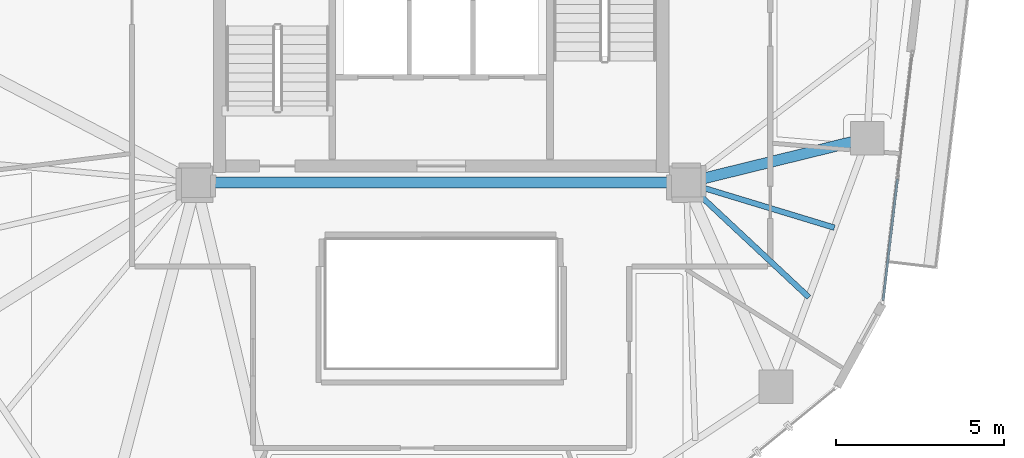
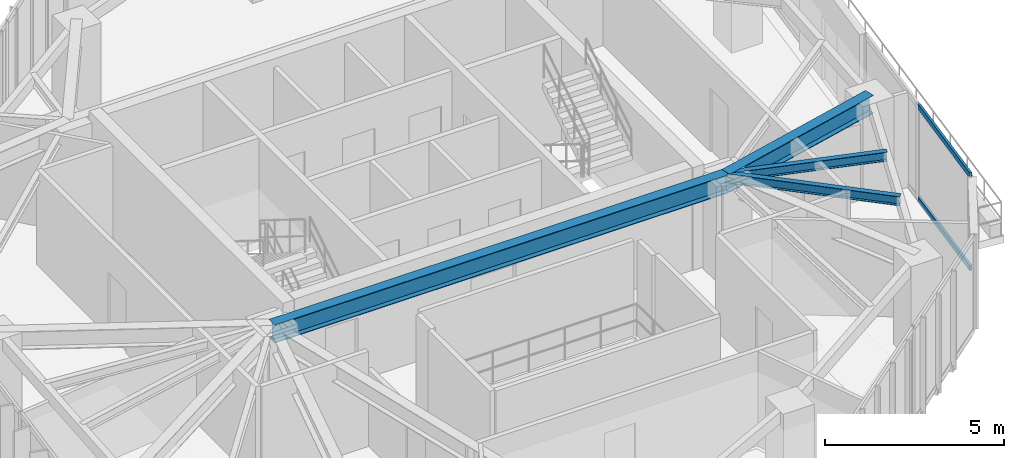
# One storey, part 10 of 22: 4 beams, 2 members, 1 element without a shape of its own.
"""IFC4 building model written with IfcOpenShell, lengths in metres."""

from ifc_helpers import new_model, si_unit, direction, frame, origin, origin_2d, place, context, subcontext, project, spatial, hollow_rectangle, i_section, extrude, source, transform, mapped, material, layer, layer_set, material_profile, profile_set, type_object, type_shapes, element, aggregate, save


model = new_model("IFC4")

# Units and contexts
model_context = context("Model", 3, precision=1e-05, world=origin(), true_north=direction((0.0, 1.0)))
body_context = subcontext(model_context, "Body", "Model", "MODEL_VIEW")
ifc_project = project(units=[si_unit("LENGTHUNIT", "METRE"), si_unit("AREAUNIT", "SQUARE_METRE"), si_unit("VOLUMEUNIT", "CUBIC_METRE"), si_unit("PLANEANGLEUNIT", "RADIAN"), si_unit("MASSUNIT", "GRAM", prefix="KILO")], contexts=[model_context])

# Site, building, storey
site_placement = place(None, origin())
site = spatial("IfcSite", under=ifc_project, at=site_placement, CompositionType="ELEMENT")
building_placement = place(site_placement, origin())
building = spatial("IfcBuilding", under=site, at=building_placement, Name="Talar Marvaseh", CompositionType="ELEMENT")
storey_placement = place(building_placement, frame((0.0, 0.0, 208.199951171875)))
storey = spatial("IfcBuildingStorey", under=building, at=storey_placement, Name="L54", CompositionType="ELEMENT", Elevation=208.199951171875)

# Beams
ifc_material_1 = material(Name="Steel S355", Category="steel")
ifc_material_profile_1 = material_profile(ifc_material_1, i_section(OverallWidth=0.324951171875, OverallDepth=0.615966796875, WebThickness=0.013916015625, FlangeThickness=0.021484375, at=origin_2d()), Name="W610x174")
ifc_profile_set_1 = profile_set([ifc_material_profile_1], Name="Steel S355")
beam_type_1 = type_object("IfcBeamType", Name="Zone 3 Radial Floor Girder W610x174", PredefinedType="BEAM", material=ifc_profile_set_1)
beam_1_placement = place(storey_placement, frame((18.699951171875, 25.5, 2.922119140625), z_axis=(1.0, 0.0, 0.0), x_axis=(0.0, 1.0, 0.0)))
element("IfcBeam", 1, at=beam_1_placement, inside=storey, type_object=beam_type_1, Name="L54 Zone 3 Radial Floor Girder W610x174", PredefinedType="BEAM", context=body_context, shape_type="SweptSolid", body=[
    extrude(i_section(OverallWidth=0.324951171875, OverallDepth=0.615966796875, WebThickness=0.013916015625, FlangeThickness=0.021484375, at=origin_2d()), origin(), (0.0, 0.0, 1.0), 14.60009765625),
])
beam_2_placement = place(storey_placement, frame((38.68896484375, 26.823974609375, 2.922119140625), z_axis=(-0.971120507527, -0.238589521692, 0.0), x_axis=(0.238589521692, -0.971120507527, 0.0)))
element("IfcBeam", 2, at=beam_2_placement, inside=storey, type_object=beam_type_1, Name="L54 Zone 3 Radial Floor Girder W610x174", PredefinedType="BEAM", context=body_context, shape_type="SweptSolid", body=[
    extrude(i_section(OverallWidth=0.324951171875, OverallDepth=0.615966796875, WebThickness=0.013916015625, FlangeThickness=0.021484375, at=origin_2d()), origin(), (0.0, 0.0, 1.0), 5.549072265625),
])
ifc_material_profile_2 = material_profile(ifc_material_1, i_section(OverallWidth=0.166015625, OverallDepth=0.31298828125, WebThickness=0.006591796875, FlangeThickness=0.01123046875, at=origin_2d()), Name="W310x45")
ifc_profile_set_2 = profile_set([ifc_material_profile_2], Name="Steel S355")
beam_type_2 = type_object("IfcBeamType", Name="Zone 3 Secondary Floor Joist W310x45", PredefinedType="JOIST", material=ifc_profile_set_2)
beam_3_placement = place(storey_placement, frame((37.71044921875, 24.15966796875, 3.073486328125), z_axis=(-0.956792465721, 0.290771693153, 0.0), x_axis=(-0.290771693153, -0.956792465721, 0.0)))
element("IfcBeam", 3, at=beam_3_placement, inside=storey, type_object=beam_type_2, Name="L54 Zone 3 Secondary Floor Joist W310x45", PredefinedType="JOIST", context=body_context, shape_type="SweptSolid", body=[
    extrude(i_section(OverallWidth=0.166015625, OverallDepth=0.31298828125, WebThickness=0.006591796875, FlangeThickness=0.01123046875, at=origin_2d()), origin(), (0.0, 0.0, 1.0), 4.609619140625),
])
beam_4_placement = place(storey_placement, frame((36.949462890625, 22.08740234375, 3.073486328125), z_axis=(-0.730408226886, 0.683010850643, 0.0), x_axis=(-0.683010850643, -0.730408226886, 0.0)))
element("IfcBeam", 4, at=beam_4_placement, inside=storey, type_object=beam_type_2, Name="L54 Zone 3 Secondary Floor Joist W310x45", PredefinedType="JOIST", context=body_context, shape_type="SweptSolid", body=[
    extrude(i_section(OverallWidth=0.166015625, OverallDepth=0.31298828125, WebThickness=0.006591796875, FlangeThickness=0.01123046875, at=origin_2d()), origin(), (0.0, 0.0, 1.0), 4.996337890625),
])

# Curtain wall, members
ifc_material_2 = material(Name="Architectural Aluminium", Category="aluminium")
ifc_layer = layer(ifc_material_2, 0.18994140625)
ifc_layer_set = layer_set([ifc_layer], Name="Architectural Aluminium")
curtain_wall_type = type_object("IfcCurtainWallType", Name="Unitised Solar Atelier Curtain Wall Z3", PredefinedType="NOTDEFINED", material=ifc_layer_set)
curtain_wall_placement = place(storey_placement, origin())
curtain_wall = element("IfcCurtainWall", 5, at=curtain_wall_placement, inside=storey, type_object=curtain_wall_type, Name="L54 Unitised Solar Atelier Curtain Wall Z3", PredefinedType="NOTDEFINED")
ifc_material_profile_3 = material_profile(ifc_material_2, hollow_rectangle(XDim=0.074951171875, YDim=0.179931640625, WallThickness=0.0048828125, at=origin_2d()), Name="RHS180x75x5")
ifc_profile_set_3 = profile_set([ifc_material_profile_3], Name="Architectural Aluminium")
member_type = type_object("IfcMemberType", Name="Unitised Curtain Wall Transom RHS180x75x5", PredefinedType="USERDEFINED", material=ifc_profile_set_3)
shared_shape = source(origin(), body_context, "Body", "SweptSolid", [
    extrude(hollow_rectangle(XDim=0.074951171875, YDim=0.179931640625, WallThickness=0.0048828125, at=origin_2d()), origin(), (0.0, 0.0, 1.0), 3.648681640625),
])
type_shapes(member_type, [shared_shape])
member_1_placement = place(storey_placement, frame((39.589599609375, 25.61376953125, 0.03759765625), z_axis=(-0.117699191972, -0.993049293947, 0.0), x_axis=(0.993049293947, -0.117699191972, 0.0)))
member_1 = element("IfcMember", 6, at=member_1_placement, type_object=member_type, Name="CW-Z3 transom 2.1", ObjectType="TRANSOM", PredefinedType="USERDEFINED", context=body_context, shape_type="MappedRepresentation", body=[
    mapped(shared_shape, transform((0.0, 0.0, 0.0), x_axis=(1.0, 0.0, 0.0), y_axis=(0.0, 1.0, 0.0), z_axis=(0.0, 0.0, 1.0), scale=1.0)),
])
member_2_placement = place(storey_placement, frame((39.589599609375, 25.61376953125, 3.192626953125), z_axis=(-0.117699191972, -0.993049293947, 0.0), x_axis=(0.993049293947, -0.117699191972, 0.0)))
member_2 = element("IfcMember", 7, at=member_2_placement, type_object=member_type, Name="CW-Z3 transom 2.2", ObjectType="TRANSOM", PredefinedType="USERDEFINED", context=body_context, shape_type="MappedRepresentation", body=[
    mapped(shared_shape, transform((0.0, 0.0, 0.0), x_axis=(1.0, 0.0, 0.0), y_axis=(0.0, 1.0, 0.0), z_axis=(0.0, 0.0, 1.0), scale=1.0)),
])
aggregate(curtain_wall, [member_1, member_2])

save(model, "model.ifc")
